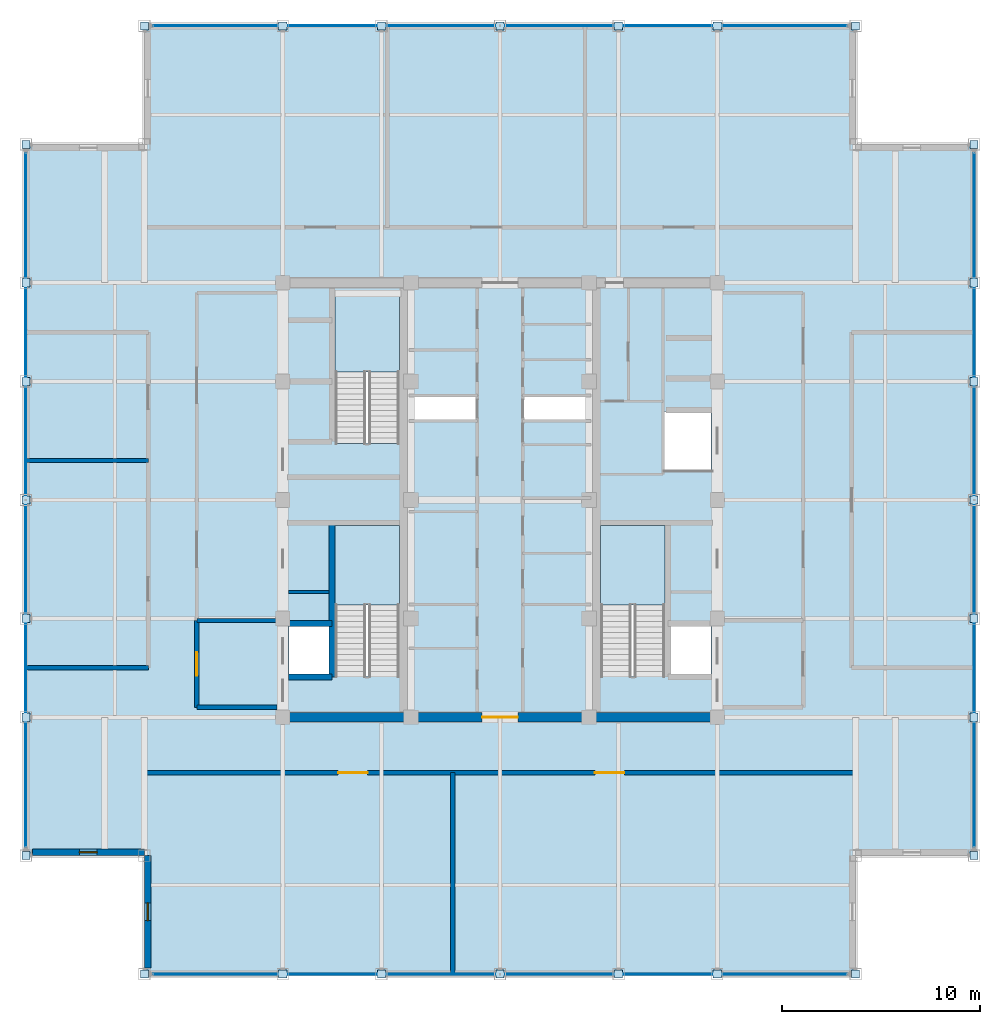
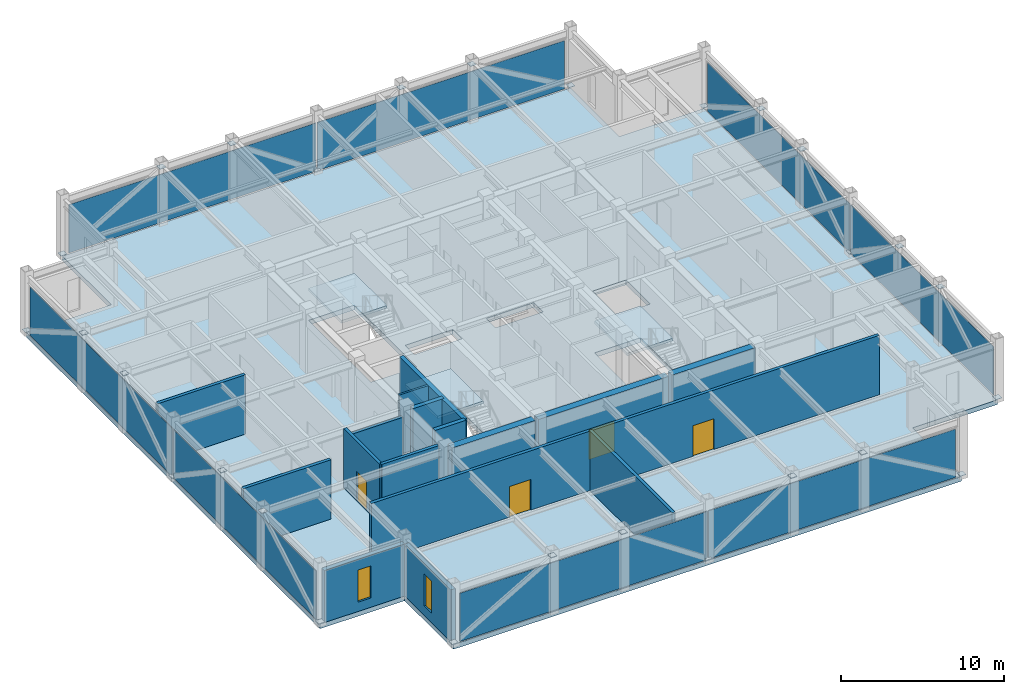
# One storey, part 23 of 27: 36 plates, 16 walls, 4 doors, 4 slabs, 2 windows, 6 openings, 7 elements without a shape of their own.
"""IFC4 building model written with IfcOpenShell, lengths in metres."""

from ifc_helpers import new_model, si_unit, direction, frame, frame_2d, origin, origin_2d, place, context, subcontext, project, spatial, polyline, rectangle, outline, extrude, source, transform, mapped, material, layer, layer_set, type_object, element, fill, aggregate, save


model = new_model("IFC4")

# Units and contexts
model_context = context("Model", 3, precision=1e-05, world=origin(), true_north=direction((0.0, 1.0)))
body_context = subcontext(model_context, "Body", "Model", "MODEL_VIEW")
ifc_project = project(units=[si_unit("LENGTHUNIT", "METRE"), si_unit("AREAUNIT", "SQUARE_METRE"), si_unit("VOLUMEUNIT", "CUBIC_METRE"), si_unit("PLANEANGLEUNIT", "RADIAN"), si_unit("MASSUNIT", "GRAM", prefix="KILO")], contexts=[model_context])

# Site, building, storey
site_placement = place(None, origin())
site = spatial("IfcSite", under=ifc_project, at=site_placement, CompositionType="ELEMENT")
building_placement = place(site_placement, origin())
building = spatial("IfcBuilding", under=site, at=building_placement, Name="Khorayat Bourse Tower", CompositionType="ELEMENT")
storey_placement = place(building_placement, frame((0.0, 0.0, 380.300048828125)))
storey = spatial("IfcBuildingStorey", under=building, at=storey_placement, Name="L90", CompositionType="ELEMENT", Elevation=380.300048828125)

# Stair, slab
ifc_material_1 = material(Name="Concrete C40/50", Category="concrete")
stair_type = type_object("IfcStairType", Name="STR-CORE-1550", PredefinedType="HALF_TURN_STAIR", material=ifc_material_1)
stair_1_placement = place(storey_placement, origin())
stair_1 = element("IfcStair", 1, at=stair_1_placement, inside=storey, type_object=stair_type, Name="L90 Exit Stair ST-1", PredefinedType="HALF_TURN_STAIR")
ifc_layer_1 = layer(ifc_material_1, 0.199951171875)
ifc_layer_set_1 = layer_set([ifc_layer_1], Name="Concrete C40/50")
slab_type_1 = type_object("IfcSlabType", Name="SLB-LANDING-200", PredefinedType="LANDING", material=ifc_layer_set_1)
slab_1_placement = place(storey_placement, frame((0.0, 0.0, 2.199951171875)))
slab_1 = element("IfcSlab", 2, at=slab_1_placement, type_object=slab_type_1, Name="ST-1 landing 1", PredefinedType="LANDING", context=body_context, shape_type="SweptSolid", body=[
    extrude(outline(polyline([(-5.10009765625, -5.31005859375), (-5.10009765625, -1.300048828125), (-8.35009765625, -1.300048828125), (-8.35009765625, -5.31005859375), (-5.10009765625, -5.31005859375)])), origin(), (0.0, 0.0, 1.0), 0.199951171875),
])
aggregate(stair_1, [slab_1])

stair_2_placement = place(storey_placement, origin())
stair_2 = element("IfcStair", 3, at=stair_2_placement, inside=storey, type_object=stair_type, Name="L90 Exit Stair ST-2", PredefinedType="HALF_TURN_STAIR")
slab_2_placement = place(storey_placement, frame((0.0, 0.0, 2.199951171875)))
slab_2 = element("IfcSlab", 4, at=slab_2_placement, type_object=slab_type_1, Name="ST-2 landing 1", PredefinedType="LANDING", context=body_context, shape_type="SweptSolid", body=[
    extrude(outline(polyline([(-5.10009765625, 6.489990234375), (-5.10009765625, 10.5), (-8.35009765625, 10.5), (-8.35009765625, 6.489990234375), (-5.10009765625, 6.489990234375)])), origin(), (0.0, 0.0, 1.0), 0.199951171875),
])
aggregate(stair_2, [slab_2])

stair_3_placement = place(storey_placement, origin())
stair_3 = element("IfcStair", 5, at=stair_3_placement, inside=storey, type_object=stair_type, Name="L90 Exit Stair ST-3", PredefinedType="HALF_TURN_STAIR")
slab_3_placement = place(storey_placement, frame((0.0, 0.0, 2.199951171875)))
slab_3 = element("IfcSlab", 6, at=slab_3_placement, type_object=slab_type_1, Name="ST-3 landing 1", PredefinedType="LANDING", context=body_context, shape_type="SweptSolid", body=[
    extrude(outline(polyline([(8.35009765625, -5.31005859375), (8.35009765625, -1.300048828125), (5.10009765625, -1.300048828125), (5.10009765625, -5.31005859375), (8.35009765625, -5.31005859375)])), origin(), (0.0, 0.0, 1.0), 0.199951171875),
])
aggregate(stair_3, [slab_3])

# Slab
ifc_material_2 = material(Name="Concrete C50/60", Category="concrete")
ifc_layer_2 = layer(ifc_material_2, 0.35009765625)
ifc_layer_set_2 = layer_set([ifc_layer_2], Name="Concrete C50/60")
slab_type_2 = type_object("IfcSlabType", Name="SLB-PLANT-350", PredefinedType="FLOOR", material=ifc_layer_set_2)
slab_4_placement = place(storey_placement, frame((0.0, 0.0, -0.35009765625)))
element("IfcSlab", 7, at=slab_4_placement, inside=storey, type_object=slab_type_2, Name="L90 Main Floor Slab", PredefinedType="FLOOR", context=body_context, shape_type="SweptSolid", body=[
    extrude(outline(polyline([(-18.0, -24.0), (18.0, -24.0), (18.0, -18.0), (24.0, -18.0), (24.0, 18.0), (18.0, 18.0), (18.0, 24.0), (-18.0, 24.0), (-18.0, 18.0), (-24.0, 18.0), (-24.0, -18.0), (-18.0, -18.0), (-18.0, -24.0)]), holes=[polyline([(-8.35009765625, -8.945068359375), (-5.10009765625, -8.945068359375), (-5.10009765625, -1.300048828125), (-8.35009765625, -1.300048828125), (-8.35009765625, -8.945068359375)]), polyline([(-8.35009765625, 2.85498046875), (-5.10009765625, 2.85498046875), (-5.10009765625, 10.5), (-8.35009765625, 10.5), (-8.35009765625, 2.85498046875)]), polyline([(5.10009765625, -8.945068359375), (8.35009765625, -8.945068359375), (8.35009765625, -1.300048828125), (5.10009765625, -1.300048828125), (5.10009765625, -8.945068359375)]), polyline([(-10.679931640625, -8.929931640625), (-8.419921875, -8.929931640625), (-8.419921875, -6.3701171875), (-10.679931640625, -6.3701171875), (-10.679931640625, -8.929931640625)]), polyline([(8.419921875, -8.929931640625), (10.679931640625, -8.929931640625), (10.679931640625, -6.3701171875), (8.419921875, -6.3701171875), (8.419921875, -8.929931640625)]), polyline([(8.320068359375, 1.52001953125), (10.679931640625, 1.52001953125), (10.679931640625, 4.47998046875), (8.320068359375, 4.47998046875), (8.320068359375, 1.52001953125)]), polyline([(-4.56005859375, 4.080078125), (-1.18994140625, 4.080078125), (-1.18994140625, 5.219970703125), (-4.56005859375, 5.219970703125), (-4.56005859375, 4.080078125)]), polyline([(1.18994140625, 4.080078125), (4.56005859375, 4.080078125), (4.56005859375, 5.219970703125), (1.18994140625, 5.219970703125), (1.18994140625, 4.080078125)])]), origin(), (0.0, 0.0, 1.0), 0.35009765625),
])

# Plates
ifc_material_3 = material(Name="Steel EN 10025-2 S355J2", Category="steel")
ifc_layer_3 = layer(ifc_material_3, 0.02490234375)
ifc_layer_set_3 = layer_set([ifc_layer_3], Name="Steel EN 10025-2 S355J2")
plate_type_1 = type_object("IfcPlateType", Name="PLT-ENDCAP-25", PredefinedType="SHEET", material=ifc_layer_set_3)
shared_shape_1 = source(origin(), body_context, "Body", "SweptSolid", [
    extrude(rectangle(XDim=0.419921875, YDim=0.419921875, at=origin_2d()), origin(), (0.0, 0.0, 1.0), 0.02490234375),
])
for number, where, z_axis, x_axis, name in (
    (8, (-18.0, -24.0, 0.1875), (0.0, 0.0, 1.0), (1.0, 0.0, 0.0), "L90 Crown Frame Node Plate 001"),
    (9, (-11.0, -24.0, 4.237548828125), (0.0, 0.0, 1.0), (1.0, 0.0, 0.0), "L90 Crown Frame Node Plate 002"),
    (10, (-6.0, -24.0, 4.237548828125), (0.0, 0.0, 1.0), (1.0, 0.0, 0.0), "L90 Crown Frame Node Plate 003"),
    (11, (0.0, -24.0, 0.1875), (0.0, 0.0, 1.0), (1.0, 0.0, 0.0), "L90 Crown Frame Node Plate 004"),
    (12, (6.0, -24.0, 4.237548828125), (0.0, 0.0, 1.0), (1.0, 0.0, 0.0), "L90 Crown Frame Node Plate 005"),
    (13, (11.0, -24.0, 4.237548828125), (0.0, 0.0, 1.0), (1.0, 0.0, 0.0), "L90 Crown Frame Node Plate 006"),
    (14, (18.0, -24.0, 0.1875), (0.0, 0.0, 1.0), (1.0, 0.0, 0.0), "L90 Crown Frame Node Plate 007"),
    (15, (-18.0, 24.0, 0.1875), (0.0, 0.0, 1.0), (1.0, 0.0, 0.0), "L90 Crown Frame Node Plate 008"),
    (16, (-11.0, 24.0, 4.237548828125), (0.0, 0.0, 1.0), (1.0, 0.0, 0.0), "L90 Crown Frame Node Plate 009"),
    (17, (-6.0, 24.0, 4.237548828125), (0.0, 0.0, 1.0), (1.0, 0.0, 0.0), "L90 Crown Frame Node Plate 010"),
    (18, (0.0, 24.0, 0.1875), (0.0, 0.0, 1.0), (1.0, 0.0, 0.0), "L90 Crown Frame Node Plate 011"),
    (19, (6.0, 24.0, 4.237548828125), (0.0, 0.0, 1.0), (1.0, 0.0, 0.0), "L90 Crown Frame Node Plate 012"),
    (20, (11.0, 24.0, 4.237548828125), (0.0, 0.0, 1.0), (1.0, 0.0, 0.0), "L90 Crown Frame Node Plate 013"),
    (21, (18.0, 24.0, 0.1875), (0.0, 0.0, 1.0), (1.0, 0.0, 0.0), "L90 Crown Frame Node Plate 014"),
    (22, (-24.0, -18.0, 0.1875), (0.0, 0.0, 1.0), (1.0, 0.0, 0.0), "L90 Crown Frame Node Plate 015"),
    (23, (-24.0, -11.0, 4.237548828125), (0.0, 0.0, 1.0), (1.0, 0.0, 0.0), "L90 Crown Frame Node Plate 016"),
    (24, (-24.0, -6.0, 4.237548828125), (0.0, 0.0, 1.0), (1.0, 0.0, 0.0), "L90 Crown Frame Node Plate 017"),
    (25, (-24.0, 0.0, 0.1875), (0.0, 0.0, 1.0), (1.0, 0.0, 0.0), "L90 Crown Frame Node Plate 018"),
    (26, (-24.0, 6.0, 4.237548828125), (0.0, 0.0, 1.0), (1.0, 0.0, 0.0), "L90 Crown Frame Node Plate 019"),
    (27, (-24.0, 11.0, 4.237548828125), (0.0, 0.0, 1.0), (1.0, 0.0, 0.0), "L90 Crown Frame Node Plate 020"),
    (28, (-24.0, 18.0, 0.1875), (0.0, 0.0, 1.0), (1.0, 0.0, 0.0), "L90 Crown Frame Node Plate 021"),
    (29, (24.0, -18.0, 0.1875), (0.0, 0.0, 1.0), (1.0, 0.0, 0.0), "L90 Crown Frame Node Plate 022"),
    (30, (24.0, -11.0, 4.237548828125), (0.0, 0.0, 1.0), (1.0, 0.0, 0.0), "L90 Crown Frame Node Plate 023"),
    (31, (24.0, -6.0, 4.237548828125), (0.0, 0.0, 1.0), (1.0, 0.0, 0.0), "L90 Crown Frame Node Plate 024"),
    (32, (24.0, 0.0, 0.1875), (0.0, 0.0, 1.0), (1.0, 0.0, 0.0), "L90 Crown Frame Node Plate 025"),
    (33, (24.0, 6.0, 4.237548828125), (0.0, 0.0, 1.0), (1.0, 0.0, 0.0), "L90 Crown Frame Node Plate 026"),
    (34, (24.0, 11.0, 4.237548828125), (0.0, 0.0, 1.0), (1.0, 0.0, 0.0), "L90 Crown Frame Node Plate 027"),
    (35, (24.0, 18.0, 0.1875), (0.0, 0.0, 1.0), (1.0, 0.0, 0.0), "L90 Crown Frame Node Plate 028"),
):
    element("IfcPlate", number, at=place(storey_placement, frame(where, z_axis=z_axis, x_axis=x_axis)), inside=storey, type_object=plate_type_1, Name=name, PredefinedType="SHEET", context=body_context, shape_type="MappedRepresentation", body=[
        mapped(shared_shape_1, transform((0.0, 0.0, 0.0), scale=1.0)),
    ])

# Curtain wall, plates
ifc_material_4 = material(Name="Aluminium EN AW-6063 T6", Category="aluminium")
curtain_wall_type = type_object("IfcCurtainWallType", Name="CW-SYS-07", PredefinedType="NOTDEFINED", material=ifc_material_4)
curtain_wall_1_placement = place(storey_placement, origin())
curtain_wall_1 = element("IfcCurtainWall", 36, at=curtain_wall_1_placement, inside=storey, type_object=curtain_wall_type, Name="L90 Curtain Wall CW-L90-S1", PredefinedType="NOTDEFINED")
ifc_material_5 = material(Name="Backlit ceramic-fritted lantern glass", Category="glass")
ifc_layer_4 = layer(ifc_material_5, 0.048095703125)
ifc_layer_set_4 = layer_set([ifc_layer_4], Name="Backlit ceramic-fritted lantern glass")
plate_type_2 = type_object("IfcPlateType", Name="CWP-LANTERN-04", PredefinedType="CURTAIN_PANEL", material=ifc_layer_set_4)
shared_shape_2 = source(origin(), body_context, "Body", "SweptSolid", [
    extrude(rectangle(XDim=17.5, YDim=0.048095703125, at=origin_2d()), origin(), (0.0, 0.0, 1.0), 3.6201171875),
])
plate_1_placement = place(storey_placement, frame((-8.800048828125, -24.0, 0.08984375), z_axis=(0.0, 0.0, 1.0), x_axis=(1.0, 0.0, 0.0)))
plate_1 = element("IfcPlate", 37, at=plate_1_placement, type_object=plate_type_2, Name="CW-L90-S1 Vision Panel 1-1", PredefinedType="CURTAIN_PANEL", context=body_context, shape_type="MappedRepresentation", body=[
    mapped(shared_shape_2, transform((0.0, 0.0, 0.0), scale=1.0)),
])
plate_2_placement = place(storey_placement, frame((8.800048828125, -24.0, 0.08984375), z_axis=(0.0, 0.0, 1.0), x_axis=(1.0, 0.0, 0.0)))
plate_2 = element("IfcPlate", 38, at=plate_2_placement, type_object=plate_type_2, Name="CW-L90-S1 Vision Panel 2-1", PredefinedType="CURTAIN_PANEL", context=body_context, shape_type="MappedRepresentation", body=[
    mapped(shared_shape_2, transform((0.0, 0.0, 0.0), scale=1.0)),
])
aggregate(curtain_wall_1, [plate_1, plate_2])

curtain_wall_2_placement = place(storey_placement, origin())
curtain_wall_2 = element("IfcCurtainWall", 39, at=curtain_wall_2_placement, inside=storey, type_object=curtain_wall_type, Name="L90 Curtain Wall CW-L90-N1", PredefinedType="NOTDEFINED")
plate_3_placement = place(storey_placement, frame((-8.800048828125, 24.0, 0.08984375), z_axis=(0.0, 0.0, 1.0), x_axis=(1.0, 0.0, 0.0)))
plate_3 = element("IfcPlate", 40, at=plate_3_placement, type_object=plate_type_2, Name="CW-L90-N1 Vision Panel 1-1", PredefinedType="CURTAIN_PANEL", context=body_context, shape_type="MappedRepresentation", body=[
    mapped(shared_shape_2, transform((0.0, 0.0, 0.0), scale=1.0)),
])
plate_4_placement = place(storey_placement, frame((8.800048828125, 24.0, 0.08984375), z_axis=(0.0, 0.0, 1.0), x_axis=(1.0, 0.0, 0.0)))
plate_4 = element("IfcPlate", 41, at=plate_4_placement, type_object=plate_type_2, Name="CW-L90-N1 Vision Panel 2-1", PredefinedType="CURTAIN_PANEL", context=body_context, shape_type="MappedRepresentation", body=[
    mapped(shared_shape_2, transform((0.0, 0.0, 0.0), scale=1.0)),
])
aggregate(curtain_wall_2, [plate_3, plate_4])

curtain_wall_3_placement = place(storey_placement, origin())
curtain_wall_3 = element("IfcCurtainWall", 42, at=curtain_wall_3_placement, inside=storey, type_object=curtain_wall_type, Name="L90 Curtain Wall CW-L90-W1", PredefinedType="NOTDEFINED")
plate_5_placement = place(storey_placement, frame((-24.0, -8.800048828125, 0.08984375), z_axis=(0.0, 0.0, 1.0), x_axis=(0.0, 1.0, 0.0)))
plate_5 = element("IfcPlate", 43, at=plate_5_placement, type_object=plate_type_2, Name="CW-L90-W1 Vision Panel 1-1", PredefinedType="CURTAIN_PANEL", context=body_context, shape_type="MappedRepresentation", body=[
    mapped(shared_shape_2, transform((0.0, 0.0, 0.0), scale=1.0)),
])
plate_6_placement = place(storey_placement, frame((-24.0, 8.800048828125, 0.08984375), z_axis=(0.0, 0.0, 1.0), x_axis=(0.0, 1.0, 0.0)))
plate_6 = element("IfcPlate", 44, at=plate_6_placement, type_object=plate_type_2, Name="CW-L90-W1 Vision Panel 2-1", PredefinedType="CURTAIN_PANEL", context=body_context, shape_type="MappedRepresentation", body=[
    mapped(shared_shape_2, transform((0.0, 0.0, 0.0), scale=1.0)),
])
aggregate(curtain_wall_3, [plate_5, plate_6])

curtain_wall_4_placement = place(storey_placement, origin())
curtain_wall_4 = element("IfcCurtainWall", 45, at=curtain_wall_4_placement, inside=storey, type_object=curtain_wall_type, Name="L90 Curtain Wall CW-L90-E1", PredefinedType="NOTDEFINED")
plate_7_placement = place(storey_placement, frame((24.0, -8.800048828125, 0.08984375), z_axis=(0.0, 0.0, 1.0), x_axis=(0.0, 1.0, 0.0)))
plate_7 = element("IfcPlate", 46, at=plate_7_placement, type_object=plate_type_2, Name="CW-L90-E1 Vision Panel 1-1", PredefinedType="CURTAIN_PANEL", context=body_context, shape_type="MappedRepresentation", body=[
    mapped(shared_shape_2, transform((0.0, 0.0, 0.0), scale=1.0)),
])
plate_8_placement = place(storey_placement, frame((24.0, 8.800048828125, 0.08984375), z_axis=(0.0, 0.0, 1.0), x_axis=(0.0, 1.0, 0.0)))
plate_8 = element("IfcPlate", 47, at=plate_8_placement, type_object=plate_type_2, Name="CW-L90-E1 Vision Panel 2-1", PredefinedType="CURTAIN_PANEL", context=body_context, shape_type="MappedRepresentation", body=[
    mapped(shared_shape_2, transform((0.0, 0.0, 0.0), scale=1.0)),
])
aggregate(curtain_wall_4, [plate_7, plate_8])

# Walls
ifc_material_6 = material(Name="Concrete C52/65", Category="concrete")
ifc_layer_5 = layer(ifc_material_6, 0.5)
ifc_layer_set_5 = layer_set([ifc_layer_5], Name="Concrete C52/65")
wall_type_1 = type_object("IfcWallType", Name="WAL-CORE-500", PredefinedType="SHEAR", material=ifc_layer_set_5)
shared_shape_3 = source(origin(), body_context, "Body", "SweptSolid", [
    extrude(rectangle(XDim=5.89990234375, YDim=0.5, at=frame_2d((2.949951171875, 0.0))), origin(), (0.0, 0.0, 1.0), 4.449951171875),
])
for number, where, z_axis, x_axis, name in (
    (48, (-10.75, -11.0, 0.0), (0.0, 0.0, 1.0), (1.0, 0.0, 0.0), "L90 Core Shear Wall PIER-WS"),
    (49, (4.85009765625, -11.0, 0.0), (0.0, 0.0, 1.0), (1.0, 0.0, 0.0), "L90 Core Shear Wall PIER-ES"),
):
    element("IfcWall", number, at=place(storey_placement, frame(where, z_axis=z_axis, x_axis=x_axis)), inside=storey, type_object=wall_type_1, Name=name, PredefinedType="SHEAR", context=body_context, shape_type="MappedRepresentation", body=[
        mapped(shared_shape_3, transform((0.0, 0.0, 0.0), scale=1.0)),
    ])

# Wall, opening, door
shared_shape_4 = source(origin(), body_context, "Body", "SweptSolid", [
    extrude(rectangle(XDim=9.2001953125, YDim=0.5, at=frame_2d((4.60009765625, 0.0))), origin(), (0.0, 0.0, 1.0), 4.449951171875),
])
wall_1_placement = place(storey_placement, frame((-4.60009765625, -11.0, 0.0), z_axis=(0.0, 0.0, 1.0), x_axis=(1.0, 0.0, 0.0)))
wall_1 = element("IfcWall", 50, at=wall_1_placement, inside=storey, type_object=wall_type_1, Name="L90 Core Shear Wall CORE-S", PredefinedType="SHEAR", context=body_context, shape_type="MappedRepresentation", body=[
    mapped(shared_shape_4, transform((0.0, 0.0, 0.0), scale=1.0)),
])
shared_shape_5 = source(origin(), body_context, "Body", "SweptSolid", [
    extrude(rectangle(XDim=1.800048828125, YDim=2.25, at=frame_2d((0.89990234375, 1.125))), frame((0.0, 0.260009765625, 0.0), z_axis=(0.0, -1.0, 0.0), x_axis=(1.0, 0.0, 0.0)), (0.0, 0.0, 1.0), 0.52001953125),
])
opening_1_placement = place(wall_1_placement, frame((3.699951171875, 0.0, 0.0)))
opening_1 = element("IfcOpeningElement", 51, at=opening_1_placement, cuts=wall_1, Name="Opening DI-03", PredefinedType="OPENING", context=body_context, shape_type="MappedRepresentation", body=[
    mapped(shared_shape_5, transform((0.0, 0.0, 0.0), scale=1.0)),
])
ifc_material_7 = material(Name="Fire-rated hardwood vision-panel double leaf", Category="wood")
door_type_1 = type_object("IfcDoorType", Name="DR-INT-CORR-1800", OperationType="NOTDEFINED", PredefinedType="DOOR", material=ifc_material_7)
shared_shape_6 = source(origin(), body_context, "Body", "SweptSolid", [
    extrude(rectangle(XDim=1.800048828125, YDim=2.25, at=frame_2d((0.89990234375, 1.125))), frame((0.0, 0.02490234375, 0.0), z_axis=(0.0, -1.0, 0.0), x_axis=(1.0, 0.0, 0.0)), (0.0, 0.0, 1.0), 0.050048828125),
])
door_1_placement = place(opening_1_placement, origin())
door_1 = element("IfcDoor", 52, at=door_1_placement, inside=storey, type_object=door_type_1, Name="L90 Central Core South Passage Door", OperationType="SINGLE_SWING_LEFT", OverallHeight=2.25, OverallWidth=1.800048828125, PredefinedType="DOOR", context=body_context, shape_type="MappedRepresentation", body=[
    mapped(shared_shape_6, transform((0.0, 0.0, 0.0), scale=1.0)),
])
fill(opening_1, door_1)

# Wall, opening, window
ifc_material_8 = material(Name="Precast concrete C45/55", Category="concrete")
ifc_layer_6 = layer(ifc_material_8, 0.320068359375)
ifc_layer_set_6 = layer_set([ifc_layer_6], Name="Precast concrete C45/55")
wall_type_2 = type_object("IfcWallType", Name="WAL-EXT-STONE-320", PredefinedType="STANDARD", material=ifc_layer_set_6)
shared_shape_7 = source(origin(), body_context, "Body", "SweptSolid", [
    extrude(rectangle(XDim=5.679931640625, YDim=0.320068359375, at=frame_2d((2.83984375, 0.0))), origin(), (0.0, 0.0, 1.0), 3.90087890625),
])
wall_2_placement = place(storey_placement, frame((-18.0, -17.840087890625, 0.0), z_axis=(0.0, 0.0, 1.0), x_axis=(-1.0, 0.0, 0.0)))
wall_2 = element("IfcWall", 53, at=wall_2_placement, inside=storey, type_object=wall_type_2, Name="L90 Re-Entrant Notch Limestone Wall SW-H", PredefinedType="STANDARD", context=body_context, shape_type="MappedRepresentation", body=[
    mapped(shared_shape_7, transform((0.0, 0.0, 0.0), scale=1.0)),
])
shared_shape_8 = source(origin(), body_context, "Body", "SweptSolid", [
    extrude(rectangle(XDim=0.89990234375, YDim=2.39990234375, at=frame_2d((0.449951171875, 1.199951171875))), frame((0.0, 0.169921875, 0.0), z_axis=(0.0, -1.0, 0.0), x_axis=(1.0, 0.0, 0.0)), (0.0, 0.0, 1.0), 0.340087890625),
])
opening_2_placement = place(wall_2_placement, frame((2.389892578125, 0.0, 0.699951171875)))
opening_2 = element("IfcOpeningElement", 54, at=opening_2_placement, cuts=wall_2, Name="Opening WN-03", PredefinedType="OPENING", context=body_context, shape_type="MappedRepresentation", body=[
    mapped(shared_shape_8, transform((0.0, 0.0, 0.0), scale=1.0)),
])
ifc_material_9 = material(Name="Deep-reveal solar-control double glazing", Category="glass")
window_type = type_object("IfcWindowType", Name="WIN-SLOT-900x2400", PartitioningType="SINGLE_PANEL", PredefinedType="WINDOW", material=ifc_material_9)
shared_shape_9 = source(origin(), body_context, "Body", "SweptSolid", [
    extrude(rectangle(XDim=0.89990234375, YDim=2.39990234375, at=frame_2d((0.449951171875, 1.199951171875))), frame((0.0, 0.030029296875, 0.0), z_axis=(0.0, -1.0, 0.0), x_axis=(1.0, 0.0, 0.0)), (0.0, 0.0, 1.0), 0.06005859375),
])
window_1_placement = place(opening_2_placement, origin())
window_1 = element("IfcWindow", 55, at=window_1_placement, inside=storey, type_object=window_type, Name="L90 Facade Window 1", OverallHeight=2.39990234375, OverallWidth=0.89990234375, PartitioningType="SINGLE_PANEL", PredefinedType="WINDOW", context=body_context, shape_type="MappedRepresentation", body=[
    mapped(shared_shape_9, transform((0.0, 0.0, 0.0), scale=1.0)),
])
fill(opening_2, window_1)

wall_3_placement = place(storey_placement, frame((-17.840087890625, -23.679931640625, 0.0), z_axis=(0.0, 0.0, 1.0), x_axis=(0.0, 1.0, 0.0)))
wall_3 = element("IfcWall", 56, at=wall_3_placement, inside=storey, type_object=wall_type_2, Name="L90 Re-Entrant Notch Limestone Wall SW-V", PredefinedType="STANDARD", context=body_context, shape_type="MappedRepresentation", body=[
    mapped(shared_shape_7, transform((0.0, 0.0, 0.0), scale=1.0)),
])
opening_3_placement = place(wall_3_placement, frame((2.389892578125, 0.0, 0.699951171875)))
opening_3 = element("IfcOpeningElement", 57, at=opening_3_placement, cuts=wall_3, Name="Opening WN-03", PredefinedType="OPENING", context=body_context, shape_type="MappedRepresentation", body=[
    mapped(shared_shape_8, transform((0.0, 0.0, 0.0), scale=1.0)),
])
window_2_placement = place(opening_3_placement, origin())
window_2 = element("IfcWindow", 58, at=window_2_placement, inside=storey, type_object=window_type, Name="L90 Facade Window 1", OverallHeight=2.39990234375, OverallWidth=0.89990234375, PartitioningType="SINGLE_PANEL", PredefinedType="WINDOW", context=body_context, shape_type="MappedRepresentation", body=[
    mapped(shared_shape_9, transform((0.0, 0.0, 0.0), scale=1.0)),
])
fill(opening_3, window_2)

# Walls
ifc_layer_7 = layer(ifc_material_2, 0.300048828125)
ifc_layer_set_7 = layer_set([ifc_layer_7], Name="Concrete C50/60")
wall_type_3 = type_object("IfcWallType", Name="WAL-SHAFT-300", PredefinedType="SHEAR", material=ifc_layer_set_7)
shared_shape_10 = source(origin(), body_context, "Body", "SweptSolid", [
    extrude(rectangle(XDim=7.800048828125, YDim=0.300048828125, at=frame_2d((3.89990234375, 0.0))), origin(), (0.0, 0.0, 1.0), 4.449951171875),
])
wall_4_placement = place(storey_placement, frame((-8.5, -8.949951171875, 0.0), z_axis=(0.0, 0.0, 1.0), x_axis=(0.0, 1.0, 0.0)))
element("IfcWall", 59, at=wall_4_placement, inside=storey, type_object=wall_type_3, Name="L90 Partition WAL-L90-WPIER-SP", PredefinedType="SHEAR", context=body_context, shape_type="MappedRepresentation", body=[
    mapped(shared_shape_10, transform((0.0, 0.0, 0.0), scale=1.0)),
])
shared_shape_11 = source(origin(), body_context, "Body", "SweptSolid", [
    extrude(rectangle(XDim=2.199951171875, YDim=0.300048828125, at=frame_2d((1.10009765625, 0.0))), origin(), (0.0, 0.0, 1.0), 4.449951171875),
])
for number, where, z_axis, x_axis, name in (
    (60, (-10.699951171875, -8.949951171875, 0.0), (0.0, 0.0, 1.0), (1.0, 0.0, 0.0), "L90 Partition WAL-L90-WPIER-FF1S"),
    (61, (-10.699951171875, -6.25, 0.0), (0.0, 0.0, 1.0), (1.0, 0.0, 0.0), "L90 Partition WAL-L90-WPIER-FF1N"),
):
    element("IfcWall", number, at=place(storey_placement, frame(where, z_axis=z_axis, x_axis=x_axis)), inside=storey, type_object=wall_type_3, Name=name, PredefinedType="SHEAR", context=body_context, shape_type="MappedRepresentation", body=[
        mapped(shared_shape_11, transform((0.0, 0.0, 0.0), scale=1.0)),
    ])
ifc_material_10 = material(Name="Gypsum plasterboard twin-frame partition")
ifc_layer_8 = layer(ifc_material_10, 0.14990234375)
ifc_layer_set_8 = layer_set([ifc_layer_8], Name="Gypsum plasterboard twin-frame partition")
wall_type_4 = type_object("IfcWallType", Name="WAL-PART-SUITE-150", PredefinedType="PARTITIONING", material=ifc_layer_set_8)
shared_shape_12 = source(origin(), body_context, "Body", "SweptSolid", [
    extrude(rectangle(XDim=2.050048828125, YDim=0.14990234375, at=frame_2d((1.02490234375, 0.0))), origin(), (0.0, 0.0, 1.0), 4.449951171875),
])
wall_5_placement = place(storey_placement, frame((-10.699951171875, -4.64990234375, 0.0), z_axis=(0.0, 0.0, 1.0), x_axis=(1.0, 0.0, 0.0)))
element("IfcWall", 62, at=wall_5_placement, inside=storey, type_object=wall_type_4, Name="L90 Partition WAL-L90-WSRV-S0", PredefinedType="PARTITIONING", context=body_context, shape_type="MappedRepresentation", body=[
    mapped(shared_shape_12, transform((0.0, 0.0, 0.0), scale=1.0)),
])
ifc_material_11 = material(Name="Aerated concrete blockwork", Category="masonry")
ifc_layer_9 = layer(ifc_material_11, 0.219970703125)
ifc_layer_set_9 = layer_set([ifc_layer_9], Name="Aerated concrete blockwork")
wall_type_5 = type_object("IfcWallType", Name="WAL-PART-FF-220", PredefinedType="PARTITIONING", material=ifc_layer_set_9)
shared_shape_13 = source(origin(), body_context, "Body", "SweptSolid", [
    extrude(rectangle(XDim=4.050048828125, YDim=0.219970703125, at=frame_2d((2.02490234375, 0.0))), origin(), (0.0, 0.0, 1.0), 4.449951171875),
])
wall_6_placement = place(storey_placement, frame((-15.35009765625, -10.5, 0.0), z_axis=(0.0, 0.0, 1.0), x_axis=(1.0, 0.0, 0.0)))
element("IfcWall", 63, at=wall_6_placement, inside=storey, type_object=wall_type_5, Name="L90 Partition WAL-L90-FFLW-S", PredefinedType="PARTITIONING", context=body_context, shape_type="MappedRepresentation", body=[
    mapped(shared_shape_13, transform((0.0, 0.0, 0.0), scale=1.0)),
])
shared_shape_14 = source(origin(), body_context, "Body", "SweptSolid", [
    extrude(rectangle(XDim=4.050048828125, YDim=0.219970703125, at=frame_2d((2.02490234375, 0.0))), origin(), (0.0, 0.0, 1.0), 3.90087890625),
])
wall_7_placement = place(storey_placement, frame((-15.35009765625, -6.10009765625, 0.0), z_axis=(0.0, 0.0, 1.0), x_axis=(1.0, 0.0, 0.0)))
element("IfcWall", 64, at=wall_7_placement, inside=storey, type_object=wall_type_5, Name="L90 Partition WAL-L90-FFLW-N", PredefinedType="PARTITIONING", context=body_context, shape_type="MappedRepresentation", body=[
    mapped(shared_shape_14, transform((0.0, 0.0, 0.0), scale=1.0)),
])

# Wall, opening, door
shared_shape_15 = source(origin(), body_context, "Body", "SweptSolid", [
    extrude(rectangle(XDim=4.39990234375, YDim=0.219970703125, at=frame_2d((2.199951171875, 0.0))), origin(), (0.0, 0.0, 1.0), 4.449951171875),
])
wall_8_placement = place(storey_placement, frame((-15.35009765625, -10.5, 0.0), z_axis=(0.0, 0.0, 1.0), x_axis=(0.0, 1.0, 0.0)))
wall_8 = element("IfcWall", 65, at=wall_8_placement, inside=storey, type_object=wall_type_5, Name="L90 Partition WAL-L90-FFLW-W", PredefinedType="PARTITIONING", context=body_context, shape_type="MappedRepresentation", body=[
    mapped(shared_shape_15, transform((0.0, 0.0, 0.0), scale=1.0)),
])
shared_shape_16 = source(origin(), body_context, "Body", "SweptSolid", [
    extrude(rectangle(XDim=1.199951171875, YDim=2.199951171875, at=frame_2d((0.60009765625, 1.10009765625))), frame((0.0, 0.119873046875, 0.0), z_axis=(0.0, -1.0, 0.0), x_axis=(1.0, 0.0, 0.0)), (0.0, 0.0, 1.0), 0.239990234375),
])
opening_4_placement = place(wall_8_placement, frame((1.60009765625, 0.0, 0.0)))
opening_4 = element("IfcOpeningElement", 66, at=opening_4_placement, cuts=wall_8, Name="Opening DI-02", PredefinedType="OPENING", context=body_context, shape_type="MappedRepresentation", body=[
    mapped(shared_shape_16, transform((0.0, 0.0, 0.0), scale=1.0)),
])
ifc_material_12 = material(Name="Fire-rated steel double-seal leaf", Category="steel")
door_type_2 = type_object("IfcDoorType", Name="DR-INT-FFLOBBY-1200", OperationType="NOTDEFINED", PredefinedType="DOOR", material=ifc_material_12)
shared_shape_17 = source(origin(), body_context, "Body", "SweptSolid", [
    extrude(rectangle(XDim=1.199951171875, YDim=2.199951171875, at=frame_2d((0.60009765625, 1.10009765625))), frame((0.0, 0.02490234375, 0.0), z_axis=(0.0, -1.0, 0.0), x_axis=(1.0, 0.0, 0.0)), (0.0, 0.0, 1.0), 0.050048828125),
])
door_2_placement = place(opening_4_placement, origin())
door_2 = element("IfcDoor", 67, at=door_2_placement, inside=storey, type_object=door_type_2, Name="L90 West Firefighting Lobby Door", OperationType="SINGLE_SWING_LEFT", OverallHeight=2.199951171875, OverallWidth=1.199951171875, PredefinedType="DOOR", context=body_context, shape_type="MappedRepresentation", body=[
    mapped(shared_shape_17, transform((0.0, 0.0, 0.0), scale=1.0)),
])
fill(opening_4, door_2)

# Walls
shared_shape_18 = source(origin(), body_context, "Body", "SweptSolid", [
    extrude(rectangle(XDim=10.199951171875, YDim=0.219970703125, at=frame_2d((5.10009765625, 0.0))), origin(), (0.0, 0.0, 1.0), 4.449951171875),
])
wall_9_placement = place(storey_placement, frame((-2.39990234375, -24.0, 0.0), z_axis=(0.0, 0.0, 1.0), x_axis=(0.0, 1.0, 0.0)))
element("IfcWall", 68, at=wall_9_placement, inside=storey, type_object=wall_type_5, Name="L90 Partition WAL-L90-PLS-DIV", PredefinedType="PARTITIONING", context=body_context, shape_type="MappedRepresentation", body=[
    mapped(shared_shape_18, transform((0.0, 0.0, 0.0), scale=1.0)),
])
shared_shape_19 = source(origin(), body_context, "Body", "SweptSolid", [
    extrude(rectangle(XDim=6.199951171875, YDim=0.219970703125, at=frame_2d((3.10009765625, 0.0))), origin(), (0.0, 0.0, 1.0), 4.449951171875),
])
for number, where, z_axis, x_axis, name in (
    (69, (-24.0, 2.0, 0.0), (0.0, 0.0, 1.0), (1.0, 0.0, 0.0), "L90 Partition WAL-L90-CRNW-D"),
    (70, (-24.0, -8.5, 0.0), (0.0, 0.0, 1.0), (1.0, 0.0, 0.0), "L90 Partition WAL-L90-PLW-S"),
):
    element("IfcWall", number, at=place(storey_placement, frame(where, z_axis=z_axis, x_axis=x_axis)), inside=storey, type_object=wall_type_5, Name=name, PredefinedType="PARTITIONING", context=body_context, shape_type="MappedRepresentation", body=[
        mapped(shared_shape_19, transform((0.0, 0.0, 0.0), scale=1.0)),
    ])

# Wall, openings, doors
shared_shape_20 = source(origin(), body_context, "Body", "SweptSolid", [
    extrude(rectangle(XDim=36.0, YDim=0.219970703125, at=frame_2d((18.0, 0.0))), origin(), (0.0, 0.0, 1.0), 4.449951171875),
])
wall_10_placement = place(storey_placement, frame((-18.0, -13.800048828125, 0.0), z_axis=(0.0, 0.0, 1.0), x_axis=(1.0, 0.0, 0.0)))
wall_10 = element("IfcWall", 71, at=wall_10_placement, inside=storey, type_object=wall_type_5, Name="L90 Partition WAL-L90-PLS-N", PredefinedType="PARTITIONING", context=body_context, shape_type="MappedRepresentation", body=[
    mapped(shared_shape_20, transform((0.0, 0.0, 0.0), scale=1.0)),
])
shared_shape_21 = source(origin(), body_context, "Body", "SweptSolid", [
    extrude(rectangle(XDim=1.5, YDim=2.300048828125, at=frame_2d((0.75, 1.14990234375))), frame((0.0, 0.119873046875, 0.0), z_axis=(0.0, -1.0, 0.0), x_axis=(1.0, 0.0, 0.0)), (0.0, 0.0, 1.0), 0.239990234375),
])
opening_5_placement = place(wall_10_placement, frame((9.800048828125, 0.0, 0.0)))
opening_5 = element("IfcOpeningElement", 72, at=opening_5_placement, cuts=wall_10, Name="Opening DI-07", PredefinedType="OPENING", context=body_context, shape_type="MappedRepresentation", body=[
    mapped(shared_shape_21, transform((0.0, 0.0, 0.0), scale=1.0)),
])
opening_6_placement = place(wall_10_placement, frame((22.800048828125, 0.0, 0.0)))
opening_6 = element("IfcOpeningElement", 73, at=opening_6_placement, cuts=wall_10, Name="Opening DI-07", PredefinedType="OPENING", context=body_context, shape_type="MappedRepresentation", body=[
    mapped(shared_shape_21, transform((0.0, 0.0, 0.0), scale=1.0)),
])
ifc_material_13 = material(Name="Louvred fire-rated steel plant double door", Category="steel")
door_type_3 = type_object("IfcDoorType", Name="DR-INT-PLANT-1500", OperationType="NOTDEFINED", PredefinedType="DOOR", material=ifc_material_13)
shared_shape_22 = source(origin(), body_context, "Body", "SweptSolid", [
    extrude(rectangle(XDim=1.5, YDim=2.300048828125, at=frame_2d((0.75, 1.14990234375))), frame((0.0, 0.02490234375, 0.0), z_axis=(0.0, -1.0, 0.0), x_axis=(1.0, 0.0, 0.0)), (0.0, 0.0, 1.0), 0.050048828125),
])
door_3_placement = place(opening_5_placement, origin())
door_3 = element("IfcDoor", 74, at=door_3_placement, inside=storey, type_object=door_type_3, Name="L90 Chiller Plant Door", OperationType="SINGLE_SWING_LEFT", OverallHeight=2.300048828125, OverallWidth=1.5, PredefinedType="DOOR", context=body_context, shape_type="MappedRepresentation", body=[
    mapped(shared_shape_22, transform((0.0, 0.0, 0.0), scale=1.0)),
])
fill(opening_5, door_3)
door_4_placement = place(opening_6_placement, origin())
door_4 = element("IfcDoor", 75, at=door_4_placement, inside=storey, type_object=door_type_3, Name="L90 Pump Plant Door", OperationType="SINGLE_SWING_RIGHT", OverallHeight=2.300048828125, OverallWidth=1.5, PredefinedType="DOOR", context=body_context, shape_type="MappedRepresentation", body=[
    mapped(shared_shape_22, transform((0.0, 0.0, 0.0), scale=1.0)),
])
fill(opening_6, door_4)

save(model, "model.ifc")
